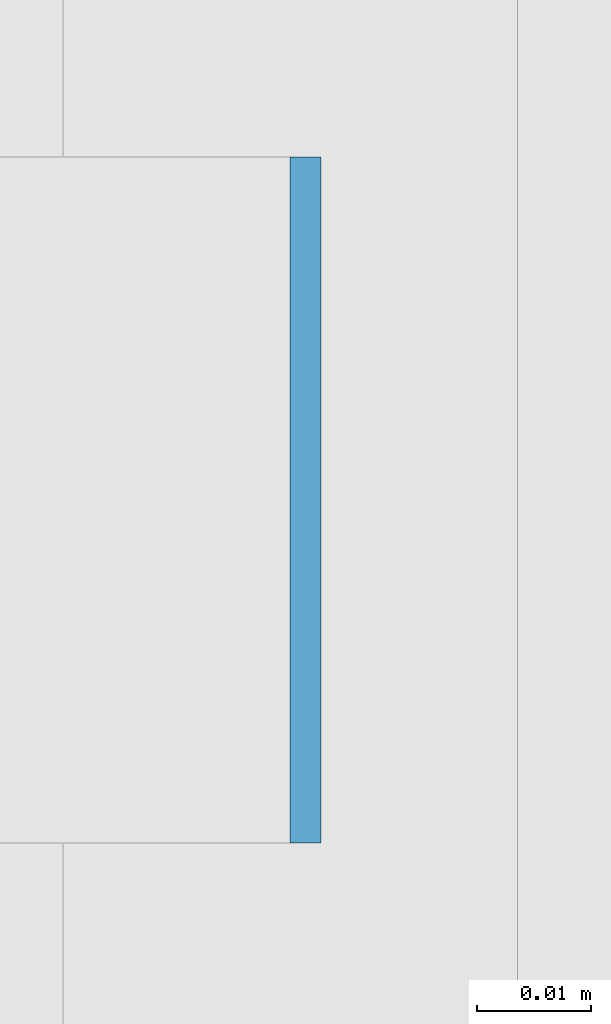
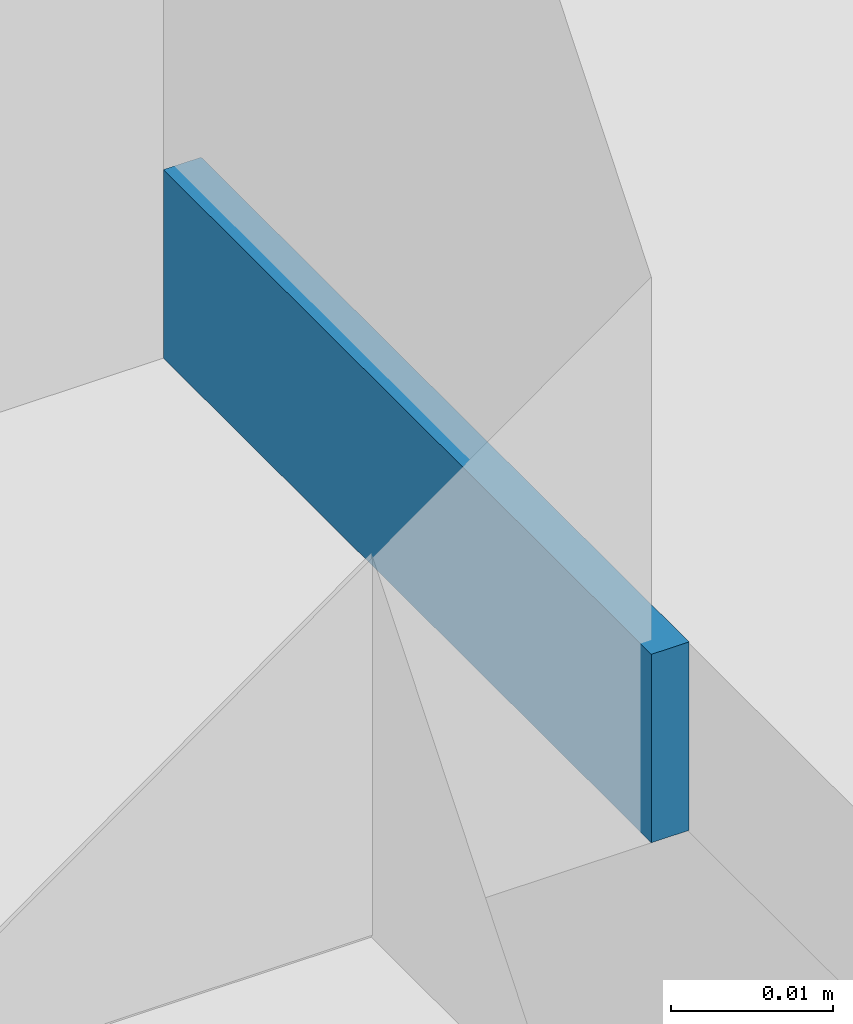
# One storey, part 370 of 646: 1 discrete accessory.
"""IFC4 building model written with IfcOpenShell, lengths in metres."""

from ifc_helpers import new_model, si_unit, direction, frame, origin, origin_2d, place, context, subcontext, project, spatial, rectangle, extrude, material, type_object, element, save


model = new_model("IFC4")

# Units and contexts
model_context = context("Model", 3, precision=1e-05, world=origin(), true_north=direction((0.0, 1.0)))
body_context = subcontext(model_context, "Body", "Model", "MODEL_VIEW")
ifc_project = project(units=[si_unit("LENGTHUNIT", "METRE"), si_unit("AREAUNIT", "SQUARE_METRE"), si_unit("VOLUMEUNIT", "CUBIC_METRE"), si_unit("PLANEANGLEUNIT", "RADIAN"), si_unit("MASSUNIT", "GRAM", prefix="KILO")], contexts=[model_context])

# Site, building, storey
site_placement = place(None, origin())
site = spatial("IfcSite", under=ifc_project, at=site_placement, CompositionType="ELEMENT")
building_placement = place(site_placement, origin())
building = spatial("IfcBuilding", under=site, at=building_placement, Name="Silverbay Arena", CompositionType="ELEMENT")
storey_placement = place(building_placement, frame((0.0, 0.0, 33.5)))
storey = spatial("IfcBuildingStorey", under=building, at=storey_placement, Name="L05", CompositionType="ELEMENT", Elevation=33.5)

# Discrete accessory
ifc_material = material(Name="Steel S355", Category="steel")
discrete_accessory_type = type_object("IfcDiscreteAccessoryType", Name="Steel bracket plate", PredefinedType="BRACKET", material=ifc_material)
discrete_accessory_placement = place(storey_placement, frame((53.871337890625, 101.571533203125, 4.0), z_axis=(0.0, 0.0, 1.0), x_axis=(1.0, 0.0, 0.0)))
element("IfcDiscreteAccessory", 1, at=discrete_accessory_placement, inside=storey, type_object=discrete_accessory_type, Name="Curtain wall packing plate", PredefinedType="BRACKET", context=body_context, shape_type="SweptSolid", body=[
    extrude(rectangle(XDim=0.002685546875, YDim=0.06005859375, at=origin_2d()), origin(), (0.0, 0.0, 1.0), 0.01416015625),
])

save(model, "model.ifc")
